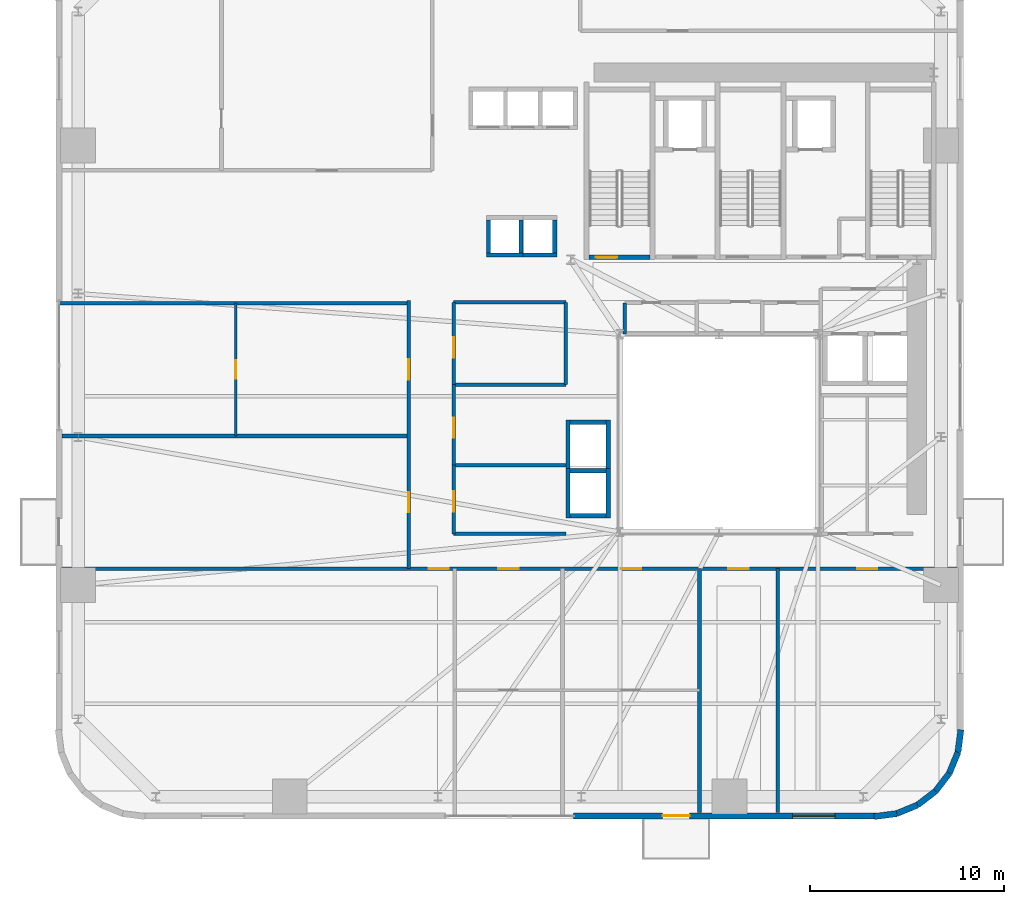
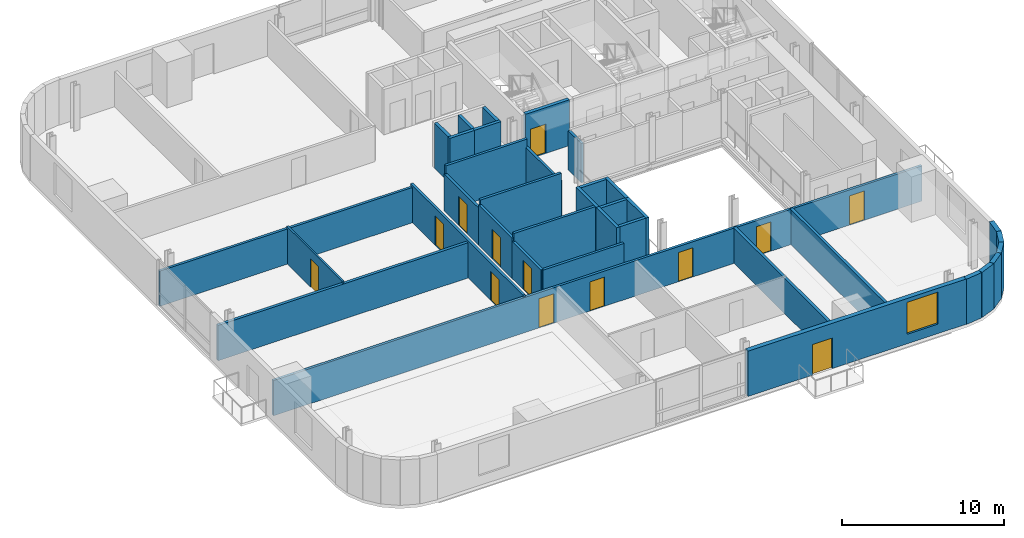
# One storey, part 6 of 13: 36 walls, 13 doors, 1 window, 14 openings.
"""IFC4 building model written with IfcOpenShell, lengths in metres."""

from ifc_helpers import new_model, si_unit, direction, frame, frame_2d, origin, place, context, subcontext, project, spatial, rectangle, extrude, source, transform, mapped, material, layer, layer_set, type_object, element, fill, save


model = new_model("IFC4")

# Units and contexts
model_context = context("Model", 3, precision=1e-05, world=origin(), true_north=direction((0.0, 1.0)))
body_context = subcontext(model_context, "Body", "Model", "MODEL_VIEW")
ifc_project = project(units=[si_unit("LENGTHUNIT", "METRE"), si_unit("AREAUNIT", "SQUARE_METRE"), si_unit("VOLUMEUNIT", "CUBIC_METRE"), si_unit("PLANEANGLEUNIT", "RADIAN"), si_unit("MASSUNIT", "GRAM", prefix="KILO")], contexts=[model_context])

# Site, building, storey
site_placement = place(None, origin())
site = spatial("IfcSite", under=ifc_project, at=site_placement, CompositionType="ELEMENT")
building_placement = place(site_placement, origin())
building = spatial("IfcBuilding", under=site, at=building_placement, Name="Vardaveli Station Tower", CompositionType="ELEMENT")
storey_placement = place(building_placement, frame((0.0, 0.0, 67.75)))
storey = spatial("IfcBuildingStorey", under=building, at=storey_placement, Name="L17", CompositionType="ELEMENT", Elevation=67.75)

# Wall, openings, door, window
ifc_material_1 = material(Name="Precast concrete C45/55", Category="concrete")
ifc_layer_1 = layer(ifc_material_1, 0.320068359375, Name="Precast concrete C45/55")
ifc_layer_set_1 = layer_set([ifc_layer_1], Name="Precast concrete C45/55")
wall_type_1 = type_object("IfcWallType", Name="WAL-EXT-STONE-320", PredefinedType="SOLIDWALL", material=ifc_layer_set_1)
shared_shape_1 = source(origin(), body_context, "Body", "SweptSolid", [
    extrude(rectangle(XDim=15.599853515625, YDim=0.320068359375, at=frame_2d((7.7998046875, 0.0))), origin(), (0.0, 0.0, 1.0), 3.409912109375),
])
wall_1_placement = place(storey_placement, frame((28.800048828125, 1.9599609375, 0.0), z_axis=(0.0, 0.0, 1.0), x_axis=(1.0, 0.0, 0.0)))
wall_1 = element("IfcWall", 1, at=wall_1_placement, inside=storey, type_object=wall_type_1, Name="EW-L17-S2", PredefinedType="SOLIDWALL", context=body_context, shape_type="MappedRepresentation", body=[
    mapped(shared_shape_1, transform((0.0, 0.0, 0.0), scale=1.0)),
])
shared_shape_2 = source(origin(), body_context, "Body", "SweptSolid", [
    extrude(rectangle(XDim=1.39990234375, YDim=2.300048828125, at=frame_2d((0.699951171875, 1.14990234375))), frame((0.0, 0.169921875, 0.0), z_axis=(0.0, -1.0, 0.0), x_axis=(1.0, 0.0, 0.0)), (0.0, 0.0, 1.0), 0.340087890625),
])
opening_1_placement = place(wall_1_placement, frame((4.589599609375, 0.0, 0.0)))
opening_1 = element("IfcOpeningElement", 2, at=opening_1_placement, cuts=wall_1, Name="Opening D-09", PredefinedType="OPENING", context=body_context, shape_type="MappedRepresentation", body=[
    mapped(shared_shape_2, transform((0.0, 0.0, 0.0), scale=1.0)),
])
shared_shape_3 = source(origin(), body_context, "Body", "SweptSolid", [
    extrude(rectangle(XDim=2.199951171875, YDim=2.39990234375, at=frame_2d((1.10009765625, 1.199951171875))), frame((0.0, 0.169921875, 0.0), z_axis=(0.0, -1.0, 0.0), x_axis=(1.0, 0.0, 0.0)), (0.0, 0.0, 1.0), 0.340087890625),
])
opening_2_placement = place(wall_1_placement, frame((11.294921875, 0.0, 0.719970703125)))
opening_2 = element("IfcOpeningElement", 3, at=opening_2_placement, cuts=wall_1, Name="Opening W-03", PredefinedType="OPENING", context=body_context, shape_type="MappedRepresentation", body=[
    mapped(shared_shape_3, transform((0.0, 0.0, 0.0), scale=1.0)),
])
ifc_material_2 = material(Name="Thermally broken aluminium glass", Category="aluminium")
door_type_1 = type_object("IfcDoorType", Name="DR-LOG-1400x2300", OperationType="DOUBLE_DOOR_SLIDING", PredefinedType="DOOR", material=ifc_material_2)
shared_shape_4 = source(origin(), body_context, "Body", "SweptSolid", [
    extrude(rectangle(XDim=1.39990234375, YDim=2.300048828125, at=frame_2d((0.699951171875, 1.14990234375))), frame((0.0, 0.02490234375, 0.0), z_axis=(0.0, -1.0, 0.0), x_axis=(1.0, 0.0, 0.0)), (0.0, 0.0, 1.0), 0.050048828125),
])
door_1_placement = place(opening_1_placement, frame((1.39990234375, 0.0, 0.0), z_axis=(0.0, 0.0, 1.0), x_axis=(-1.0, 0.0, 0.0)))
door_1 = element("IfcDoor", 4, at=door_1_placement, inside=storey, type_object=door_type_1, Name="DLG-L17-S", OperationType="DOUBLE_DOOR_SLIDING", OverallHeight=2.300048828125, OverallWidth=1.39990234375, PredefinedType="DOOR", context=body_context, shape_type="MappedRepresentation", body=[
    mapped(shared_shape_4, transform((0.0, 0.0, 0.0), scale=1.0)),
])
fill(opening_1, door_1)
ifc_material_3 = material(Name="Low-E solar-control glass", Category="glass")
window_type = type_object("IfcWindowType", Name="WIN-LOG-2200x2400", PartitioningType="SINGLE_PANEL", PredefinedType="WINDOW", material=ifc_material_3)
shared_shape_5 = source(origin(), body_context, "Body", "SweptSolid", [
    extrude(rectangle(XDim=2.199951171875, YDim=2.39990234375, at=frame_2d((1.10009765625, 1.199951171875))), frame((0.0, 0.030029296875, 0.0), z_axis=(0.0, -1.0, 0.0), x_axis=(1.0, 0.0, 0.0)), (0.0, 0.0, 1.0), 0.06005859375),
])
window_placement = place(opening_2_placement, origin())
window = element("IfcWindow", 5, at=window_placement, inside=storey, type_object=window_type, Name="WN-L17-S2", OverallHeight=2.39990234375, OverallWidth=2.199951171875, PartitioningType="SINGLE_PANEL", PredefinedType="WINDOW", context=body_context, shape_type="MappedRepresentation", body=[
    mapped(shared_shape_5, transform((0.0, 0.0, 0.0), scale=1.0)),
])
fill(opening_2, window)

# Walls
shared_shape_6 = source(origin(), body_context, "Body", "SweptSolid", [
    extrude(rectangle(XDim=1.170654296875, YDim=0.320068359375, at=frame_2d((0.58544921875, 0.0))), origin(), (0.0, 0.0, 1.0), 3.409912109375),
])
wall_2_placement = place(storey_placement, frame((48.62548828125, 5.23974609375, 0.0), z_axis=(0.0, 0.0, 1.0), x_axis=(0.128269133229, 0.991739395941, 0.0)))
element("IfcWall", 6, at=wall_2_placement, inside=storey, type_object=wall_type_1, Name="EW-L17-CR2-6", PredefinedType="SOLIDWALL", context=body_context, shape_type="MappedRepresentation", body=[
    mapped(shared_shape_6, transform((0.0, 0.0, 0.0), scale=1.0)),
])
shared_shape_7 = source(origin(), body_context, "Body", "SweptSolid", [
    extrude(rectangle(XDim=1.1689453125, YDim=0.320068359375, at=frame_2d((0.58447265625, 0.0))), origin(), (0.0, 0.0, 1.0), 3.409912109375),
])
for number, where, z_axis, x_axis, name in (
    (7, (47.46875, 3.231201171875, 0.0), (0.0, 0.0, 1.0), (0.608387696831, 0.793639975269, 0.0), "EW-L17-CR2-4"),
    (8, (48.179931640625, 4.158935546875, 0.0), (0.0, 0.0, 1.0), (0.381127904695, 0.924522320046, 0.0), "EW-L17-CR2-5"),
):
    element("IfcWall", number, at=place(storey_placement, frame(where, z_axis=z_axis, x_axis=x_axis)), inside=storey, type_object=wall_type_1, Name=name, PredefinedType="SOLIDWALL", context=body_context, shape_type="MappedRepresentation", body=[
        mapped(shared_shape_7, transform((0.0, 0.0, 0.0), scale=1.0)),
    ])
shared_shape_8 = source(origin(), body_context, "Body", "SweptSolid", [
    extrude(rectangle(XDim=1.168701171875, YDim=0.320068359375, at=frame_2d((0.58447265625, 0.0))), origin(), (0.0, 0.0, 1.0), 3.409912109375),
])
wall_3_placement = place(storey_placement, frame((46.541259765625, 2.520263671875, 0.0), z_axis=(0.0, 0.0, 1.0), x_axis=(0.793663520347, 0.608356981114, 0.0)))
element("IfcWall", 9, at=wall_3_placement, inside=storey, type_object=wall_type_1, Name="EW-L17-CR2-3", PredefinedType="SOLIDWALL", context=body_context, shape_type="MappedRepresentation", body=[
    mapped(shared_shape_8, transform((0.0, 0.0, 0.0), scale=1.0)),
])
shared_shape_9 = source(origin(), body_context, "Body", "SweptSolid", [
    extrude(rectangle(XDim=1.16943359375, YDim=0.320068359375, at=frame_2d((0.584716796875, 0.0))), origin(), (0.0, 0.0, 1.0), 3.409912109375),
])
wall_4_placement = place(storey_placement, frame((45.460205078125, 2.074462890625, 0.0), z_axis=(0.0, 0.0, 1.0), x_axis=(0.924479075121, 0.381232789334, 0.0)))
element("IfcWall", 10, at=wall_4_placement, inside=storey, type_object=wall_type_1, Name="EW-L17-CR2-2", PredefinedType="SOLIDWALL", context=body_context, shape_type="MappedRepresentation", body=[
    mapped(shared_shape_9, transform((0.0, 0.0, 0.0), scale=1.0)),
])
shared_shape_10 = source(origin(), body_context, "Body", "SweptSolid", [
    extrude(rectangle(XDim=1.170166015625, YDim=0.320068359375, at=frame_2d((0.5849609375, 0.0))), origin(), (0.0, 0.0, 1.0), 3.409912109375),
])
wall_5_placement = place(storey_placement, frame((44.299560546875, 1.924560546875, 0.0), z_axis=(0.0, 0.0, 1.0), x_axis=(0.991762485493, 0.128090485085, 0.0)))
element("IfcWall", 11, at=wall_5_placement, inside=storey, type_object=wall_type_1, Name="EW-L17-CR2-1", PredefinedType="SOLIDWALL", context=body_context, shape_type="MappedRepresentation", body=[
    mapped(shared_shape_10, transform((0.0, 0.0, 0.0), scale=1.0)),
])

# Wall, opening, door
ifc_material_4 = material(Name="Concrete C40/50", Category="concrete")
ifc_layer_2 = layer(ifc_material_4, 0.25, Name="Concrete C40/50")
ifc_layer_set_2 = layer_set([ifc_layer_2], Name="Concrete C40/50")
wall_type_2 = type_object("IfcWallType", Name="WAL-SHAFT-250", PredefinedType="SOLIDWALL", material=ifc_layer_set_2)
shared_shape_11 = source(origin(), body_context, "Body", "SweptSolid", [
    extrude(rectangle(XDim=3.14990234375, YDim=0.25, at=frame_2d((1.574951171875, 0.0))), origin(), (0.0, 0.0, 1.0), 3.449951171875),
])
wall_6_placement = place(storey_placement, frame((29.60009765625, 30.77490234375, 0.0), z_axis=(0.0, 0.0, 1.0), x_axis=(1.0, 0.0, 0.0)))
wall_6 = element("IfcWall", 12, at=wall_6_placement, inside=storey, type_object=wall_type_2, Name="W-L17-ST-1S", PredefinedType="SOLIDWALL", context=body_context, shape_type="MappedRepresentation", body=[
    mapped(shared_shape_11, transform((0.0, 0.0, 0.0), scale=1.0)),
])
shared_shape_12 = source(origin(), body_context, "Body", "SweptSolid", [
    extrude(rectangle(XDim=1.10009765625, YDim=2.199951171875, at=frame_2d((0.550048828125, 1.10009765625))), frame((0.0, 0.135009765625, 0.0), z_axis=(0.0, -1.0, 0.0), x_axis=(1.0, 0.0, 0.0)), (0.0, 0.0, 1.0), 0.27001953125),
])
opening_3_placement = place(wall_6_placement, frame((0.35009765625, 0.0, 0.0)))
opening_3 = element("IfcOpeningElement", 13, at=opening_3_placement, cuts=wall_6, Name="Opening D-04", PredefinedType="OPENING", context=body_context, shape_type="MappedRepresentation", body=[
    mapped(shared_shape_12, transform((0.0, 0.0, 0.0), scale=1.0)),
])
ifc_material_5 = material(Name="Steel smokeproof fire doorset", Category="steel")
door_type_2 = type_object("IfcDoorType", Name="DR-ST-1100x2200", OperationType="NOTDEFINED", PredefinedType="DOOR", material=ifc_material_5)
shared_shape_13 = source(origin(), body_context, "Body", "SweptSolid", [
    extrude(rectangle(XDim=1.10009765625, YDim=2.199951171875, at=frame_2d((0.550048828125, 1.10009765625))), frame((0.0, 0.02490234375, 0.0), z_axis=(0.0, -1.0, 0.0), x_axis=(1.0, 0.0, 0.0)), (0.0, 0.0, 1.0), 0.050048828125),
])
door_2_placement = place(opening_3_placement, origin())
door_2 = element("IfcDoor", 14, at=door_2_placement, inside=storey, type_object=door_type_2, Name="DST-1-L17", OperationType="SINGLE_SWING_LEFT", OverallHeight=2.199951171875, OverallWidth=1.10009765625, PredefinedType="DOOR", context=body_context, shape_type="MappedRepresentation", body=[
    mapped(shared_shape_13, transform((0.0, 0.0, 0.0), scale=1.0)),
])
fill(opening_3, door_2)

# Walls
ifc_layer_3 = layer(ifc_material_4, 0.219970703125, Name="Concrete C40/50")
ifc_layer_set_3 = layer_set([ifc_layer_3], Name="Concrete C40/50")
wall_type_3 = type_object("IfcWallType", Name="WAL-FFLOBBY-220", PredefinedType="SOLIDWALL", material=ifc_layer_set_3)
shared_shape_14 = source(origin(), body_context, "Body", "SweptSolid", [
    extrude(rectangle(XDim=1.89013671875, YDim=0.219970703125, at=frame_2d((0.945068359375, 0.0))), origin(), (0.0, 0.0, 1.0), 3.409912109375),
])
for number, where, z_axis, x_axis, name in (
    (15, (24.304931640625, 30.889892578125, 0.0), (0.0, 0.0, 1.0), (1.0, 0.0, 0.0), "SHW-SHU-01-L17-S"),
    (16, (26.054931640625, 30.889892578125, 0.0), (0.0, 0.0, 1.0), (1.0, 0.0, 0.0), "SHW-SHU-02-L17-S"),
):
    element("IfcWall", number, at=place(storey_placement, frame(where, z_axis=z_axis, x_axis=x_axis)), inside=storey, type_object=wall_type_3, Name=name, PredefinedType="SOLIDWALL", context=body_context, shape_type="MappedRepresentation", body=[
        mapped(shared_shape_14, transform((0.0, 0.0, 0.0), scale=1.0)),
    ])
shared_shape_15 = source(origin(), body_context, "Body", "SweptSolid", [
    extrude(rectangle(XDim=1.699951171875, YDim=0.219970703125, at=frame_2d((0.85009765625, 0.0))), origin(), (0.0, 0.0, 1.0), 3.409912109375),
])
for number, where, z_axis, x_axis, name in (
    (17, (24.4150390625, 31.0, 0.0), (0.0, 0.0, 1.0), (0.0, 1.0, 0.0), "SHW-SHU-01-L17-W"),
    (18, (26.0849609375, 31.0, 0.0), (0.0, 0.0, 1.0), (0.0, 1.0, 0.0), "SHW-SHU-01-L17-E"),
    (19, (27.8349609375, 31.0, 0.0), (0.0, 0.0, 1.0), (0.0, 1.0, 0.0), "SHW-SHU-02-L17-E"),
):
    element("IfcWall", number, at=place(storey_placement, frame(where, z_axis=z_axis, x_axis=x_axis)), inside=storey, type_object=wall_type_3, Name=name, PredefinedType="SOLIDWALL", context=body_context, shape_type="MappedRepresentation", body=[
        mapped(shared_shape_15, transform((0.0, 0.0, 0.0), scale=1.0)),
    ])
shared_shape_16 = source(origin(), body_context, "Body", "SweptSolid", [
    extrude(rectangle(XDim=1.85009765625, YDim=0.219970703125, at=frame_2d((0.925048828125, 0.0))), origin(), (0.0, 0.0, 1.0), 3.409912109375),
])
for number, where, z_axis, x_axis, name in (
    (20, (28.625, 17.43994140625, 0.0), (0.0, 0.0, 1.0), (1.0, 0.0, 0.0), "SHW-OBS-01-L17-S"),
    (21, (28.625, 19.760009765625, 0.0), (0.0, 0.0, 1.0), (1.0, 0.0, 0.0), "SHW-OBS-01-L17-N"),
    (22, (28.625, 22.260009765625, 0.0), (0.0, 0.0, 1.0), (1.0, 0.0, 0.0), "SHW-OBS-02-L17-N"),
):
    element("IfcWall", number, at=place(storey_placement, frame(where, z_axis=z_axis, x_axis=x_axis)), inside=storey, type_object=wall_type_3, Name=name, PredefinedType="SOLIDWALL", context=body_context, shape_type="MappedRepresentation", body=[
        mapped(shared_shape_16, transform((0.0, 0.0, 0.0), scale=1.0)),
    ])
shared_shape_17 = source(origin(), body_context, "Body", "SweptSolid", [
    extrude(rectangle(XDim=2.5400390625, YDim=0.219970703125, at=frame_2d((1.27001953125, 0.0))), origin(), (0.0, 0.0, 1.0), 3.409912109375),
])
for number, where, z_axis, x_axis, name in (
    (23, (28.514892578125, 17.330078125, 0.0), (0.0, 0.0, 1.0), (0.0, 1.0, 0.0), "SHW-OBS-01-L17-W"),
    (24, (30.5849609375, 17.330078125, 0.0), (0.0, 0.0, 1.0), (0.0, 1.0, 0.0), "SHW-OBS-01-L17-E"),
    (25, (28.514892578125, 19.830078125, 0.0), (0.0, 0.0, 1.0), (0.0, 1.0, 0.0), "SHW-OBS-02-L17-W"),
    (26, (30.5849609375, 19.830078125, 0.0), (0.0, 0.0, 1.0), (0.0, 1.0, 0.0), "SHW-OBS-02-L17-E"),
):
    element("IfcWall", number, at=place(storey_placement, frame(where, z_axis=z_axis, x_axis=x_axis)), inside=storey, type_object=wall_type_3, Name=name, PredefinedType="SOLIDWALL", context=body_context, shape_type="MappedRepresentation", body=[
        mapped(shared_shape_17, transform((0.0, 0.0, 0.0), scale=1.0)),
    ])
ifc_material_6 = material(Name="Fire-rated gypsum stud partition")
ifc_layer_4 = layer(ifc_material_6, 0.179931640625, Name="Fire-rated gypsum stud partition")
ifc_layer_set_4 = layer_set([ifc_layer_4], Name="Fire-rated gypsum stud partition")
wall_type_4 = type_object("IfcWallType", Name="WAL-CORR-180", PredefinedType="PARTITIONING", material=ifc_layer_set_4)
shared_shape_18 = source(origin(), body_context, "Body", "SweptSolid", [
    extrude(rectangle(XDim=1.599853515625, YDim=0.179931640625, at=frame_2d((0.7998046875, 0.0))), origin(), (0.0, 0.0, 1.0), 2.951904296875),
])
wall_7_placement = place(storey_placement, frame((31.449951171875, 26.820068359375, 0.0), z_axis=(0.0, 0.0, 1.0), x_axis=(0.0, 1.0, 0.0)))
element("IfcWall", 27, at=wall_7_placement, inside=storey, type_object=wall_type_4, Name="W-L17-CS2A-W", PredefinedType="PARTITIONING", context=body_context, shape_type="MappedRepresentation", body=[
    mapped(shared_shape_18, transform((0.0, 0.0, 0.0), scale=1.0)),
])

# Wall, openings, doors
shared_shape_19 = source(origin(), body_context, "Body", "SweptSolid", [
    extrude(rectangle(XDim=46.15576171875, YDim=0.179931640625, at=frame_2d((23.077880859375, 0.0))), origin(), (0.0, 0.0, 1.0), 2.652099609375),
])
wall_8_placement = place(storey_placement, frame((2.422119140625, 14.7099609375, 0.0), z_axis=(0.0, 0.0, 1.0), x_axis=(1.0, 0.0, 0.0)))
wall_8 = element("IfcWall", 28, at=wall_8_placement, inside=storey, type_object=wall_type_4, Name="W-L17-CS", PredefinedType="PARTITIONING", context=body_context, shape_type="MappedRepresentation", body=[
    mapped(shared_shape_19, transform((0.0, 0.0, 0.0), scale=1.0)),
])
shared_shape_20 = source(origin(), body_context, "Body", "SweptSolid", [
    extrude(rectangle(XDim=1.050048828125, YDim=2.199951171875, at=frame_2d((0.52490234375, 1.10009765625))), frame((0.0, 0.10009765625, 0.0), z_axis=(0.0, -1.0, 0.0), x_axis=(1.0, 0.0, 0.0)), (0.0, 0.0, 1.0), 0.199951171875),
])
opening_4_placement = place(wall_8_placement, frame((18.89794921875, 0.0, 0.0)))
opening_4 = element("IfcOpeningElement", 29, at=opening_4_placement, cuts=wall_8, Name="Opening D-05", PredefinedType="OPENING", context=body_context, shape_type="MappedRepresentation", body=[
    mapped(shared_shape_20, transform((0.0, 0.0, 0.0), scale=1.0)),
])
opening_5_placement = place(wall_8_placement, frame((22.504638671875, 0.0, 0.0)))
opening_5 = element("IfcOpeningElement", 30, at=opening_5_placement, cuts=wall_8, Name="Opening D-05", PredefinedType="OPENING", context=body_context, shape_type="MappedRepresentation", body=[
    mapped(shared_shape_20, transform((0.0, 0.0, 0.0), scale=1.0)),
])
opening_6_placement = place(wall_8_placement, frame((28.814453125, 0.0, 0.0)))
opening_6 = element("IfcOpeningElement", 31, at=opening_6_placement, cuts=wall_8, Name="Opening D-05", PredefinedType="OPENING", context=body_context, shape_type="MappedRepresentation", body=[
    mapped(shared_shape_20, transform((0.0, 0.0, 0.0), scale=1.0)),
])
opening_7_placement = place(wall_8_placement, frame((34.367919921875, 0.0, 0.0)))
opening_7 = element("IfcOpeningElement", 32, at=opening_7_placement, cuts=wall_8, Name="Opening D-05", PredefinedType="OPENING", context=body_context, shape_type="MappedRepresentation", body=[
    mapped(shared_shape_20, transform((0.0, 0.0, 0.0), scale=1.0)),
])
opening_8_placement = place(wall_8_placement, frame((40.998046875, 0.0, 0.0)))
opening_8 = element("IfcOpeningElement", 33, at=opening_8_placement, cuts=wall_8, Name="Opening D-05", PredefinedType="OPENING", context=body_context, shape_type="MappedRepresentation", body=[
    mapped(shared_shape_20, transform((0.0, 0.0, 0.0), scale=1.0)),
])
ifc_material_7 = material(Name="Walnut veneer acoustic fire door")
door_type_3 = type_object("IfcDoorType", Name="DR-SUITE-1050x2200", OperationType="NOTDEFINED", PredefinedType="DOOR", material=ifc_material_7)
shared_shape_21 = source(origin(), body_context, "Body", "SweptSolid", [
    extrude(rectangle(XDim=1.050048828125, YDim=2.199951171875, at=frame_2d((0.52490234375, 1.10009765625))), frame((0.0, 0.02490234375, 0.0), z_axis=(0.0, -1.0, 0.0), x_axis=(1.0, 0.0, 0.0)), (0.0, 0.0, 1.0), 0.050048828125),
])
door_3_placement = place(opening_4_placement, origin())
door_3 = element("IfcDoor", 34, at=door_3_placement, inside=storey, type_object=door_type_3, Name="D-L17-SA1", OperationType="SINGLE_SWING_RIGHT", OverallHeight=2.199951171875, OverallWidth=1.050048828125, PredefinedType="DOOR", context=body_context, shape_type="MappedRepresentation", body=[
    mapped(shared_shape_21, transform((0.0, 0.0, 0.0), scale=1.0)),
])
fill(opening_4, door_3)
door_4_placement = place(opening_5_placement, origin())
door_4 = element("IfcDoor", 35, at=door_4_placement, inside=storey, type_object=door_type_3, Name="D-L17-SCB2", OperationType="SINGLE_SWING_LEFT", OverallHeight=2.199951171875, OverallWidth=1.050048828125, PredefinedType="DOOR", context=body_context, shape_type="MappedRepresentation", body=[
    mapped(shared_shape_21, transform((0.0, 0.0, 0.0), scale=1.0)),
])
fill(opening_5, door_4)
door_5_placement = place(opening_6_placement, origin())
door_5 = element("IfcDoor", 36, at=door_5_placement, inside=storey, type_object=door_type_3, Name="D-L17-SCB3", OperationType="SINGLE_SWING_RIGHT", OverallHeight=2.199951171875, OverallWidth=1.050048828125, PredefinedType="DOOR", context=body_context, shape_type="MappedRepresentation", body=[
    mapped(shared_shape_21, transform((0.0, 0.0, 0.0), scale=1.0)),
])
fill(opening_6, door_5)
door_6_placement = place(opening_7_placement, origin())
door_6 = element("IfcDoor", 37, at=door_6_placement, inside=storey, type_object=door_type_3, Name="D-L17-SA4", OperationType="SINGLE_SWING_LEFT", OverallHeight=2.199951171875, OverallWidth=1.050048828125, PredefinedType="DOOR", context=body_context, shape_type="MappedRepresentation", body=[
    mapped(shared_shape_21, transform((0.0, 0.0, 0.0), scale=1.0)),
])
fill(opening_7, door_6)
door_7_placement = place(opening_8_placement, origin())
door_7 = element("IfcDoor", 38, at=door_7_placement, inside=storey, type_object=door_type_3, Name="D-L17-SA5", OperationType="SINGLE_SWING_RIGHT", OverallHeight=2.199951171875, OverallWidth=1.050048828125, PredefinedType="DOOR", context=body_context, shape_type="MappedRepresentation", body=[
    mapped(shared_shape_21, transform((0.0, 0.0, 0.0), scale=1.0)),
])
fill(opening_8, door_7)

# Wall, opening, door
shared_shape_22 = source(origin(), body_context, "Body", "SweptSolid", [
    extrude(rectangle(XDim=4.239990234375, YDim=0.179931640625, at=frame_2d((2.1201171875, 0.0))), origin(), (0.0, 0.0, 1.0), 2.802001953125),
])
wall_9_placement = place(storey_placement, frame((22.6201171875, 24.199951171875, 0.0), z_axis=(0.0, 0.0, 1.0), x_axis=(0.0, 1.0, 0.0)))
wall_9 = element("IfcWall", 39, at=wall_9_placement, inside=storey, type_object=wall_type_4, Name="W-L17-ATWC-W", PredefinedType="PARTITIONING", context=body_context, shape_type="MappedRepresentation", body=[
    mapped(shared_shape_22, transform((0.0, 0.0, 0.0), scale=1.0)),
])
opening_9_placement = place(wall_9_placement, frame((1.39990234375, 0.0, 0.0)))
opening_9 = element("IfcOpeningElement", 40, at=opening_9_placement, cuts=wall_9, Name="Opening D-05", PredefinedType="OPENING", context=body_context, shape_type="MappedRepresentation", body=[
    mapped(shared_shape_20, transform((0.0, 0.0, 0.0), scale=1.0)),
])
door_8_placement = place(opening_9_placement, origin())
door_8 = element("IfcDoor", 41, at=door_8_placement, inside=storey, type_object=door_type_3, Name="D-L17-ATW3", OperationType="SINGLE_SWING_LEFT", OverallHeight=2.199951171875, OverallWidth=1.050048828125, PredefinedType="DOOR", context=body_context, shape_type="MappedRepresentation", body=[
    mapped(shared_shape_21, transform((0.0, 0.0, 0.0), scale=1.0)),
])
fill(opening_9, door_8)

# Wall
wall_10_placement = place(storey_placement, frame((28.39990234375, 24.199951171875, 0.0), z_axis=(0.0, 0.0, 1.0), x_axis=(0.0, 1.0, 0.0)))
element("IfcWall", 42, at=wall_10_placement, inside=storey, type_object=wall_type_4, Name="W-L17-ATWC-E", PredefinedType="PARTITIONING", context=body_context, shape_type="MappedRepresentation", body=[
    mapped(shared_shape_22, transform((0.0, 0.0, 0.0), scale=1.0)),
])

# Wall, opening, door
shared_shape_23 = source(origin(), body_context, "Body", "SweptSolid", [
    extrude(rectangle(XDim=4.14990234375, YDim=0.179931640625, at=frame_2d((2.074951171875, 0.0))), origin(), (0.0, 0.0, 1.0), 3.0419921875),
])
wall_11_placement = place(storey_placement, frame((22.6201171875, 20.050048828125, 0.0), z_axis=(0.0, 0.0, 1.0), x_axis=(0.0, 1.0, 0.0)))
wall_11 = element("IfcWall", 43, at=wall_11_placement, inside=storey, type_object=wall_type_4, Name="W-L17-ATWB-W", PredefinedType="PARTITIONING", context=body_context, shape_type="MappedRepresentation", body=[
    mapped(shared_shape_23, transform((0.0, 0.0, 0.0), scale=1.0)),
])
opening_10_placement = place(wall_11_placement, frame((1.39990234375, 0.0, 0.0)))
opening_10 = element("IfcOpeningElement", 44, at=opening_10_placement, cuts=wall_11, Name="Opening D-05", PredefinedType="OPENING", context=body_context, shape_type="MappedRepresentation", body=[
    mapped(shared_shape_20, transform((0.0, 0.0, 0.0), scale=1.0)),
])
door_9_placement = place(opening_10_placement, origin())
door_9 = element("IfcDoor", 45, at=door_9_placement, inside=storey, type_object=door_type_3, Name="D-L17-ATW2", OperationType="SINGLE_SWING_RIGHT", OverallHeight=2.199951171875, OverallWidth=1.050048828125, PredefinedType="DOOR", context=body_context, shape_type="MappedRepresentation", body=[
    mapped(shared_shape_21, transform((0.0, 0.0, 0.0), scale=1.0)),
])
fill(opening_10, door_9)

shared_shape_24 = source(origin(), body_context, "Body", "SweptSolid", [
    extrude(rectangle(XDim=3.550048828125, YDim=0.179931640625, at=frame_2d((1.77490234375, 0.0))), origin(), (0.0, 0.0, 1.0), 2.802001953125),
])
wall_12_placement = place(storey_placement, frame((22.6201171875, 16.5, 0.0), z_axis=(0.0, 0.0, 1.0), x_axis=(0.0, 1.0, 0.0)))
wall_12 = element("IfcWall", 46, at=wall_12_placement, inside=storey, type_object=wall_type_4, Name="W-L17-ATWA-W", PredefinedType="PARTITIONING", context=body_context, shape_type="MappedRepresentation", body=[
    mapped(shared_shape_24, transform((0.0, 0.0, 0.0), scale=1.0)),
])
opening_11_placement = place(wall_12_placement, frame((1.14990234375, 0.0, 0.0)))
opening_11 = element("IfcOpeningElement", 47, at=opening_11_placement, cuts=wall_12, Name="Opening D-05", PredefinedType="OPENING", context=body_context, shape_type="MappedRepresentation", body=[
    mapped(shared_shape_20, transform((0.0, 0.0, 0.0), scale=1.0)),
])
door_10_placement = place(opening_11_placement, origin())
door_10 = element("IfcDoor", 48, at=door_10_placement, inside=storey, type_object=door_type_3, Name="D-L17-ATW1", OperationType="SINGLE_SWING_RIGHT", OverallHeight=2.199951171875, OverallWidth=1.050048828125, PredefinedType="DOOR", context=body_context, shape_type="MappedRepresentation", body=[
    mapped(shared_shape_21, transform((0.0, 0.0, 0.0), scale=1.0)),
])
fill(opening_11, door_10)

# Wall, openings, doors
shared_shape_25 = source(origin(), body_context, "Body", "SweptSolid", [
    extrude(rectangle(XDim=13.840087890625, YDim=0.179931640625, at=frame_2d((6.919921875, 0.0))), origin(), (0.0, 0.0, 1.0), 2.802001953125),
])
wall_13_placement = place(storey_placement, frame((20.300048828125, 14.7099609375, 0.0), z_axis=(0.0, 0.0, 1.0), x_axis=(0.0, 1.0, 0.0)))
wall_13 = element("IfcWall", 49, at=wall_13_placement, inside=storey, type_object=wall_type_4, Name="W-L17-CW", PredefinedType="PARTITIONING", context=body_context, shape_type="MappedRepresentation", body=[
    mapped(shared_shape_25, transform((0.0, 0.0, 0.0), scale=1.0)),
])
opening_12_placement = place(wall_13_placement, frame((2.902587890625, 0.0, 0.0)))
opening_12 = element("IfcOpeningElement", 50, at=opening_12_placement, cuts=wall_13, Name="Opening D-05", PredefinedType="OPENING", context=body_context, shape_type="MappedRepresentation", body=[
    mapped(shared_shape_20, transform((0.0, 0.0, 0.0), scale=1.0)),
])
opening_13_placement = place(wall_13_placement, frame((9.74755859375, 0.0, 0.0)))
opening_13 = element("IfcOpeningElement", 51, at=opening_13_placement, cuts=wall_13, Name="Opening D-05", PredefinedType="OPENING", context=body_context, shape_type="MappedRepresentation", body=[
    mapped(shared_shape_20, transform((0.0, 0.0, 0.0), scale=1.0)),
])
door_11_placement = place(opening_12_placement, origin())
door_11 = element("IfcDoor", 52, at=door_11_placement, inside=storey, type_object=door_type_3, Name="D-L17-GW1", OperationType="SINGLE_SWING_LEFT", OverallHeight=2.199951171875, OverallWidth=1.050048828125, PredefinedType="DOOR", context=body_context, shape_type="MappedRepresentation", body=[
    mapped(shared_shape_21, transform((0.0, 0.0, 0.0), scale=1.0)),
])
fill(opening_12, door_11)
door_12_placement = place(opening_13_placement, origin())
door_12 = element("IfcDoor", 53, at=door_12_placement, inside=storey, type_object=door_type_3, Name="D-L17-GW2", OperationType="SINGLE_SWING_RIGHT", OverallHeight=2.199951171875, OverallWidth=1.050048828125, PredefinedType="DOOR", context=body_context, shape_type="MappedRepresentation", body=[
    mapped(shared_shape_21, transform((0.0, 0.0, 0.0), scale=1.0)),
])
fill(opening_13, door_12)

# Walls
ifc_material_8 = material(Name="Acoustic twin-stud gypsum partition")
ifc_layer_5 = layer(ifc_material_8, 0.199951171875, Name="Acoustic twin-stud gypsum partition")
ifc_layer_set_5 = layer_set([ifc_layer_5], Name="Acoustic twin-stud gypsum partition")
wall_type_5 = type_object("IfcWallType", Name="WAL-PARTY-200", PredefinedType="PARTITIONING", material=ifc_layer_set_5)
shared_shape_26 = source(origin(), body_context, "Body", "SweptSolid", [
    extrude(rectangle(XDim=12.587890625, YDim=0.199951171875, at=frame_2d((6.2939453125, 0.0))), origin(), (0.0, 0.0, 1.0), 2.652099609375),
])
for number, where, z_axis, x_axis, name in (
    (54, (35.2900390625, 2.1220703125, 0.0), (0.0, 0.0, 1.0), (0.0, 1.0, 0.0), "W-L17-PS3"),
    (55, (39.330078125, 2.1220703125, 0.0), (0.0, 0.0, 1.0), (0.0, 1.0, 0.0), "W-L17-PS4"),
):
    element("IfcWall", number, at=place(storey_placement, frame(where, z_axis=z_axis, x_axis=x_axis)), inside=storey, type_object=wall_type_5, Name=name, PredefinedType="PARTITIONING", context=body_context, shape_type="MappedRepresentation", body=[
        mapped(shared_shape_26, transform((0.0, 0.0, 0.0), scale=1.0)),
    ])

# Wall, opening, door
ifc_material_9 = material(Name="Gypsum board stud partition")
ifc_layer_6 = layer(ifc_material_9, 0.125, Name="Gypsum board stud partition")
ifc_layer_set_6 = layer_set([ifc_layer_6], Name="Gypsum board stud partition")
wall_type_6 = type_object("IfcWallType", Name="WAL-INT-125", PredefinedType="PARTITIONING", material=ifc_layer_set_6)
shared_shape_27 = source(origin(), body_context, "Body", "SweptSolid", [
    extrude(rectangle(XDim=6.844970703125, YDim=0.125, at=frame_2d((3.42236328125, 0.0))), origin(), (0.0, 0.0, 1.0), 2.802001953125),
])
wall_14_placement = place(storey_placement, frame((11.375, 21.554931640625, 0.0), z_axis=(0.0, 0.0, 1.0), x_axis=(0.0, 1.0, 0.0)))
wall_14 = element("IfcWall", 56, at=wall_14_placement, inside=storey, type_object=wall_type_6, Name="W-L17-WCM2", PredefinedType="PARTITIONING", context=body_context, shape_type="MappedRepresentation", body=[
    mapped(shared_shape_27, transform((0.0, 0.0, 0.0), scale=1.0)),
])
shared_shape_28 = source(origin(), body_context, "Body", "SweptSolid", [
    extrude(rectangle(XDim=0.949951171875, YDim=2.14990234375, at=frame_2d((0.47509765625, 1.074951171875))), frame((0.0, 0.072509765625, 0.0), z_axis=(0.0, -1.0, 0.0), x_axis=(1.0, 0.0, 0.0)), (0.0, 0.0, 1.0), 0.14501953125),
])
opening_14_placement = place(wall_14_placement, frame((2.9423828125, 0.0, 0.0)))
opening_14 = element("IfcOpeningElement", 57, at=opening_14_placement, cuts=wall_14, Name="Opening D-11", PredefinedType="OPENING", context=body_context, shape_type="MappedRepresentation", body=[
    mapped(shared_shape_28, transform((0.0, 0.0, 0.0), scale=1.0)),
])
ifc_material_10 = material(Name="Oak veneer internal suite door")
door_type_4 = type_object("IfcDoorType", Name="DR-INT-950x2150", OperationType="NOTDEFINED", PredefinedType="DOOR", material=ifc_material_10)
shared_shape_29 = source(origin(), body_context, "Body", "SweptSolid", [
    extrude(rectangle(XDim=0.949951171875, YDim=2.14990234375, at=frame_2d((0.47509765625, 1.074951171875))), frame((0.0, 0.02490234375, 0.0), z_axis=(0.0, -1.0, 0.0), x_axis=(1.0, 0.0, 0.0)), (0.0, 0.0, 1.0), 0.050048828125),
])
door_13_placement = place(opening_14_placement, origin())
door_13 = element("IfcDoor", 58, at=door_13_placement, inside=storey, type_object=door_type_4, Name="D-L17-GWF2", OperationType="SINGLE_SWING_RIGHT", OverallHeight=2.14990234375, OverallWidth=0.949951171875, PredefinedType="DOOR", context=body_context, shape_type="MappedRepresentation", body=[
    mapped(shared_shape_29, transform((0.0, 0.0, 0.0), scale=1.0)),
])
fill(opening_14, door_13)

# Walls
shared_shape_30 = source(origin(), body_context, "Body", "SweptSolid", [
    extrude(rectangle(XDim=17.977783203125, YDim=0.199951171875, at=frame_2d((8.98876953125, 0.0))), origin(), (0.0, 0.0, 1.0), 2.652099609375),
])
wall_15_placement = place(storey_placement, frame((2.422119140625, 21.554931640625, 0.0), z_axis=(0.0, 0.0, 1.0), x_axis=(1.0, 0.0, 0.0)))
element("IfcWall", 59, at=wall_15_placement, inside=storey, type_object=wall_type_5, Name="W-L17-PW1", PredefinedType="PARTITIONING", context=body_context, shape_type="MappedRepresentation", body=[
    mapped(shared_shape_30, transform((0.0, 0.0, 0.0), scale=1.0)),
])
shared_shape_31 = source(origin(), body_context, "Body", "SweptSolid", [
    extrude(rectangle(XDim=18.070068359375, YDim=0.179931640625, at=frame_2d((9.03515625, 0.0))), origin(), (0.0, 0.0, 1.0), 2.652099609375),
])
wall_16_placement = place(storey_placement, frame((2.22998046875, 28.39990234375, 0.0), z_axis=(0.0, 0.0, 1.0), x_axis=(1.0, 0.0, 0.0)))
element("IfcWall", 60, at=wall_16_placement, inside=storey, type_object=wall_type_4, Name="W-L17-CWN", PredefinedType="PARTITIONING", context=body_context, shape_type="MappedRepresentation", body=[
    mapped(shared_shape_31, transform((0.0, 0.0, 0.0), scale=1.0)),
])
shared_shape_32 = source(origin(), body_context, "Body", "SweptSolid", [
    extrude(rectangle(XDim=5.77978515625, YDim=0.179931640625, at=frame_2d((2.889892578125, 0.0))), origin(), (0.0, 0.0, 1.0), 2.802001953125),
])
wall_17_placement = place(storey_placement, frame((22.6201171875, 16.5, 0.0), z_axis=(0.0, 0.0, 1.0), x_axis=(1.0, 0.0, 0.0)))
element("IfcWall", 61, at=wall_17_placement, inside=storey, type_object=wall_type_4, Name="W-L17-ATWA-S", PredefinedType="PARTITIONING", context=body_context, shape_type="MappedRepresentation", body=[
    mapped(shared_shape_32, transform((0.0, 0.0, 0.0), scale=1.0)),
])
shared_shape_33 = source(origin(), body_context, "Body", "SweptSolid", [
    extrude(rectangle(XDim=5.77978515625, YDim=0.179931640625, at=frame_2d((2.889892578125, 0.0))), origin(), (0.0, 0.0, 1.0), 3.409912109375),
])
for number, where, z_axis, x_axis, name in (
    (62, (22.6201171875, 20.050048828125, 0.0), (0.0, 0.0, 1.0), (1.0, 0.0, 0.0), "W-L17-ATWA-N"),
    (63, (22.6201171875, 24.199951171875, 0.0), (0.0, 0.0, 1.0), (1.0, 0.0, 0.0), "W-L17-ATWB-N"),
    (64, (22.6201171875, 28.43994140625, 0.0), (0.0, 0.0, 1.0), (1.0, 0.0, 0.0), "W-L17-ATWC-N"),
):
    element("IfcWall", number, at=place(storey_placement, frame(where, z_axis=z_axis, x_axis=x_axis)), inside=storey, type_object=wall_type_4, Name=name, PredefinedType="PARTITIONING", context=body_context, shape_type="MappedRepresentation", body=[
        mapped(shared_shape_33, transform((0.0, 0.0, 0.0), scale=1.0)),
    ])

save(model, "model.ifc")
